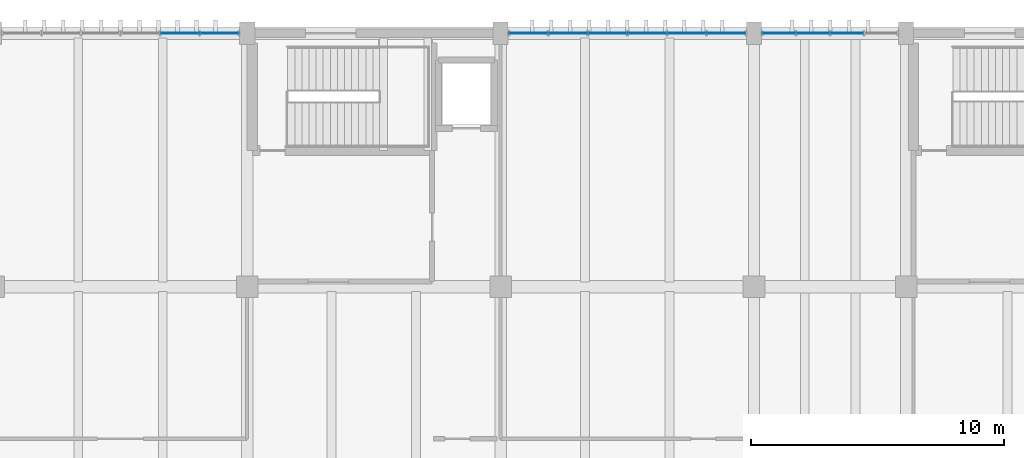
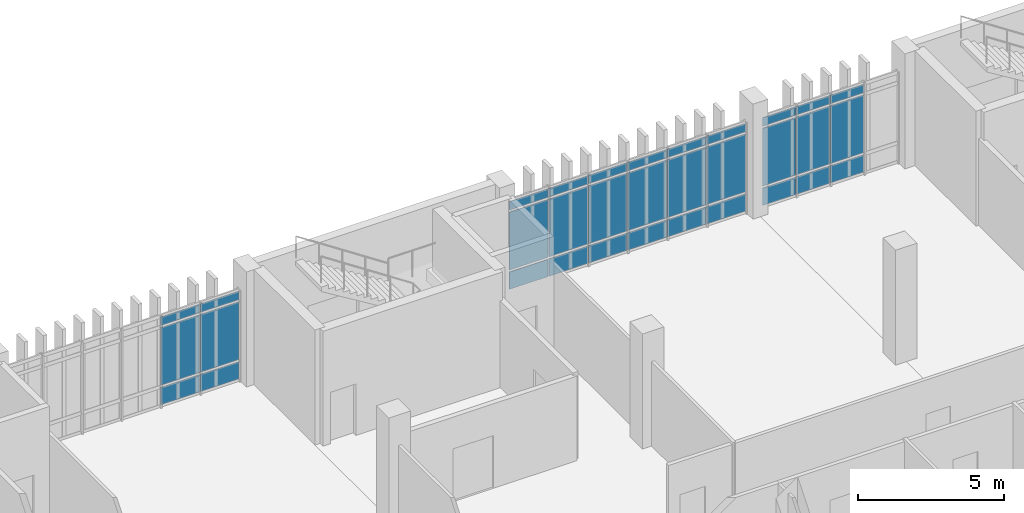
# One storey, part 66 of 87: 33 plates, 3 elements without a shape of their own.
"""IFC4 building model written with IfcOpenShell, lengths in metres."""

from ifc_helpers import new_model, si_unit, direction, frame, origin, origin_2d, place, context, subcontext, project, spatial, rectangle, extrude, material, layer, layer_set, type_object, element, aggregate, save


model = new_model("IFC4")

# Units and contexts
model_context = context("Model", 3, precision=1e-05, world=origin(), true_north=direction((0.0, 1.0)))
body_context = subcontext(model_context, "Body", "Model", "MODEL_VIEW")
ifc_project = project(units=[si_unit("LENGTHUNIT", "METRE"), si_unit("AREAUNIT", "SQUARE_METRE"), si_unit("VOLUMEUNIT", "CUBIC_METRE"), si_unit("PLANEANGLEUNIT", "RADIAN"), si_unit("MASSUNIT", "GRAM", prefix="KILO")], contexts=[model_context])

# Site, building, storey
site_placement = place(None, origin())
site = spatial("IfcSite", under=ifc_project, at=site_placement, CompositionType="ELEMENT")
building_placement = place(site_placement, origin())
building = spatial("IfcBuilding", under=site, at=building_placement, Name="Mersad Railyard Sports Hall", CompositionType="ELEMENT")
storey_placement = place(building_placement, origin())
storey = spatial("IfcBuildingStorey", under=building, at=storey_placement, Name="L00", CompositionType="ELEMENT", Elevation=0.0)

# Curtain wall, plates
ifc_material_1 = material(Name="Aluminium 6063-T6", Category="aluminium")
ifc_layer_1 = layer(ifc_material_1, 0.199951171875)
ifc_layer_set_1 = layer_set([ifc_layer_1], Name="Aluminium 6063-T6")
curtain_wall_type_1 = type_object("IfcCurtainWallType", Name="ARC-CW-CW29", PredefinedType="USERDEFINED", material=ifc_layer_set_1)
curtain_wall_1_placement = place(storey_placement, origin())
curtain_wall_1 = element("IfcCurtainWall", 1, at=curtain_wall_1_placement, inside=storey, type_object=curtain_wall_type_1, Name="Curtain wall CW29-0085", ObjectType="CURTAIN WALL", PredefinedType="USERDEFINED")
ifc_material_2 = material(Name="Solar-control glass", Category="glass")
ifc_layer_2 = layer(ifc_material_2, 0.028076171875)
ifc_layer_set_2 = layer_set([ifc_layer_2], Name="Solar-control glass")
plate_type = type_object("IfcPlateType", Name="ARC-CW-PNL01", PredefinedType="CURTAIN_PANEL", material=ifc_layer_set_2)
plate_1_placement = place(storey_placement, frame((108.340087890625, 115.0, 0.0849609375), z_axis=(0.0, 0.0, 1.0), x_axis=(1.0, 0.0, 0.0)))
plate_1 = element("IfcPlate", 2, at=plate_1_placement, type_object=plate_type, Name="CW29 Glazed panel 5-1", PredefinedType="CURTAIN_PANEL", context=body_context, shape_type="SweptSolid", body=[
    extrude(rectangle(XDim=1.51611328125, YDim=0.028076171875, at=origin_2d()), origin(), (0.0, 0.0, 1.0), 0.719970703125),
])
plate_2_placement = place(storey_placement, frame((108.340087890625, 115.0, 0.89501953125), z_axis=(0.0, 0.0, 1.0), x_axis=(1.0, 0.0, 0.0)))
plate_2 = element("IfcPlate", 3, at=plate_2_placement, type_object=plate_type, Name="CW29 Glazed panel 5-2", PredefinedType="CURTAIN_PANEL", context=body_context, shape_type="SweptSolid", body=[
    extrude(rectangle(XDim=1.51611328125, YDim=0.028076171875, at=origin_2d()), origin(), (0.0, 0.0, 1.0), 2.409912109375),
])
plate_3_placement = place(storey_placement, frame((108.340087890625, 115.0, 3.39501953125), z_axis=(0.0, 0.0, 1.0), x_axis=(1.0, 0.0, 0.0)))
plate_3 = element("IfcPlate", 4, at=plate_3_placement, type_object=plate_type, Name="CW29 Glazed panel 5-3", PredefinedType="CURTAIN_PANEL", context=body_context, shape_type="SweptSolid", body=[
    extrude(rectangle(XDim=1.51611328125, YDim=0.028076171875, at=origin_2d()), origin(), (0.0, 0.0, 1.0), 0.35009765625),
])
plate_4_placement = place(storey_placement, frame((109.89990234375, 115.0, 0.0849609375), z_axis=(0.0, 0.0, 1.0), x_axis=(1.0, 0.0, 0.0)))
plate_4 = element("IfcPlate", 5, at=plate_4_placement, type_object=plate_type, Name="CW29 Glazed panel 6-1", PredefinedType="CURTAIN_PANEL", context=body_context, shape_type="SweptSolid", body=[
    extrude(rectangle(XDim=1.51611328125, YDim=0.028076171875, at=origin_2d()), origin(), (0.0, 0.0, 1.0), 0.719970703125),
])
plate_5_placement = place(storey_placement, frame((109.89990234375, 115.0, 0.89501953125), z_axis=(0.0, 0.0, 1.0), x_axis=(1.0, 0.0, 0.0)))
plate_5 = element("IfcPlate", 6, at=plate_5_placement, type_object=plate_type, Name="CW29 Glazed panel 6-2", PredefinedType="CURTAIN_PANEL", context=body_context, shape_type="SweptSolid", body=[
    extrude(rectangle(XDim=1.51611328125, YDim=0.028076171875, at=origin_2d()), origin(), (0.0, 0.0, 1.0), 2.409912109375),
])
plate_6_placement = place(storey_placement, frame((109.89990234375, 115.0, 3.39501953125), z_axis=(0.0, 0.0, 1.0), x_axis=(1.0, 0.0, 0.0)))
plate_6 = element("IfcPlate", 7, at=plate_6_placement, type_object=plate_type, Name="CW29 Glazed panel 6-3", PredefinedType="CURTAIN_PANEL", context=body_context, shape_type="SweptSolid", body=[
    extrude(rectangle(XDim=1.51611328125, YDim=0.028076171875, at=origin_2d()), origin(), (0.0, 0.0, 1.0), 0.35009765625),
])
aggregate(curtain_wall_1, [plate_1, plate_2, plate_3, plate_4, plate_5, plate_6])

curtain_wall_2_placement = place(storey_placement, origin())
curtain_wall_2 = element("IfcCurtainWall", 8, at=curtain_wall_2_placement, inside=storey, type_object=curtain_wall_type_1, Name="Curtain wall CW29-0086", ObjectType="CURTAIN WALL", PredefinedType="USERDEFINED")
plate_7_placement = place(storey_placement, frame((122.10009765625, 115.0, 0.0849609375), z_axis=(0.0, 0.0, 1.0), x_axis=(1.0, 0.0, 0.0)))
plate_7 = element("IfcPlate", 9, at=plate_7_placement, type_object=plate_type, Name="CW29 Glazed panel 1-1", PredefinedType="CURTAIN_PANEL", context=body_context, shape_type="SweptSolid", body=[
    extrude(rectangle(XDim=1.51611328125, YDim=0.028076171875, at=origin_2d()), origin(), (0.0, 0.0, 1.0), 0.719970703125),
])
plate_8_placement = place(storey_placement, frame((122.10009765625, 115.0, 0.89501953125), z_axis=(0.0, 0.0, 1.0), x_axis=(1.0, 0.0, 0.0)))
plate_8 = element("IfcPlate", 10, at=plate_8_placement, type_object=plate_type, Name="CW29 Glazed panel 1-2", PredefinedType="CURTAIN_PANEL", context=body_context, shape_type="SweptSolid", body=[
    extrude(rectangle(XDim=1.51611328125, YDim=0.028076171875, at=origin_2d()), origin(), (0.0, 0.0, 1.0), 2.409912109375),
])
plate_9_placement = place(storey_placement, frame((122.10009765625, 115.0, 3.39501953125), z_axis=(0.0, 0.0, 1.0), x_axis=(1.0, 0.0, 0.0)))
plate_9 = element("IfcPlate", 11, at=plate_9_placement, type_object=plate_type, Name="CW29 Glazed panel 1-3", PredefinedType="CURTAIN_PANEL", context=body_context, shape_type="SweptSolid", body=[
    extrude(rectangle(XDim=1.51611328125, YDim=0.028076171875, at=origin_2d()), origin(), (0.0, 0.0, 1.0), 0.35009765625),
])
plate_10_placement = place(storey_placement, frame((123.659912109375, 115.0, 0.0849609375), z_axis=(0.0, 0.0, 1.0), x_axis=(1.0, 0.0, 0.0)))
plate_10 = element("IfcPlate", 12, at=plate_10_placement, type_object=plate_type, Name="CW29 Glazed panel 2-1", PredefinedType="CURTAIN_PANEL", context=body_context, shape_type="SweptSolid", body=[
    extrude(rectangle(XDim=1.51611328125, YDim=0.028076171875, at=origin_2d()), origin(), (0.0, 0.0, 1.0), 0.719970703125),
])
plate_11_placement = place(storey_placement, frame((123.659912109375, 115.0, 0.89501953125), z_axis=(0.0, 0.0, 1.0), x_axis=(1.0, 0.0, 0.0)))
plate_11 = element("IfcPlate", 13, at=plate_11_placement, type_object=plate_type, Name="CW29 Glazed panel 2-2", PredefinedType="CURTAIN_PANEL", context=body_context, shape_type="SweptSolid", body=[
    extrude(rectangle(XDim=1.51611328125, YDim=0.028076171875, at=origin_2d()), origin(), (0.0, 0.0, 1.0), 2.409912109375),
])
plate_12_placement = place(storey_placement, frame((123.659912109375, 115.0, 3.39501953125), z_axis=(0.0, 0.0, 1.0), x_axis=(1.0, 0.0, 0.0)))
plate_12 = element("IfcPlate", 14, at=plate_12_placement, type_object=plate_type, Name="CW29 Glazed panel 2-3", PredefinedType="CURTAIN_PANEL", context=body_context, shape_type="SweptSolid", body=[
    extrude(rectangle(XDim=1.51611328125, YDim=0.028076171875, at=origin_2d()), origin(), (0.0, 0.0, 1.0), 0.35009765625),
])
plate_13_placement = place(storey_placement, frame((125.219970703125, 115.0, 0.0849609375), z_axis=(0.0, 0.0, 1.0), x_axis=(1.0, 0.0, 0.0)))
plate_13 = element("IfcPlate", 15, at=plate_13_placement, type_object=plate_type, Name="CW29 Glazed panel 3-1", PredefinedType="CURTAIN_PANEL", context=body_context, shape_type="SweptSolid", body=[
    extrude(rectangle(XDim=1.51611328125, YDim=0.028076171875, at=origin_2d()), origin(), (0.0, 0.0, 1.0), 0.719970703125),
])
plate_14_placement = place(storey_placement, frame((125.219970703125, 115.0, 0.89501953125), z_axis=(0.0, 0.0, 1.0), x_axis=(1.0, 0.0, 0.0)))
plate_14 = element("IfcPlate", 16, at=plate_14_placement, type_object=plate_type, Name="CW29 Glazed panel 3-2", PredefinedType="CURTAIN_PANEL", context=body_context, shape_type="SweptSolid", body=[
    extrude(rectangle(XDim=1.51611328125, YDim=0.028076171875, at=origin_2d()), origin(), (0.0, 0.0, 1.0), 2.409912109375),
])
plate_15_placement = place(storey_placement, frame((125.219970703125, 115.0, 3.39501953125), z_axis=(0.0, 0.0, 1.0), x_axis=(1.0, 0.0, 0.0)))
plate_15 = element("IfcPlate", 17, at=plate_15_placement, type_object=plate_type, Name="CW29 Glazed panel 3-3", PredefinedType="CURTAIN_PANEL", context=body_context, shape_type="SweptSolid", body=[
    extrude(rectangle(XDim=1.51611328125, YDim=0.028076171875, at=origin_2d()), origin(), (0.0, 0.0, 1.0), 0.35009765625),
])
plate_16_placement = place(storey_placement, frame((126.780029296875, 115.0, 0.0849609375), z_axis=(0.0, 0.0, 1.0), x_axis=(1.0, 0.0, 0.0)))
plate_16 = element("IfcPlate", 18, at=plate_16_placement, type_object=plate_type, Name="CW29 Glazed panel 4-1", PredefinedType="CURTAIN_PANEL", context=body_context, shape_type="SweptSolid", body=[
    extrude(rectangle(XDim=1.51611328125, YDim=0.028076171875, at=origin_2d()), origin(), (0.0, 0.0, 1.0), 0.719970703125),
])
plate_17_placement = place(storey_placement, frame((126.780029296875, 115.0, 0.89501953125), z_axis=(0.0, 0.0, 1.0), x_axis=(1.0, 0.0, 0.0)))
plate_17 = element("IfcPlate", 19, at=plate_17_placement, type_object=plate_type, Name="CW29 Glazed panel 4-2", PredefinedType="CURTAIN_PANEL", context=body_context, shape_type="SweptSolid", body=[
    extrude(rectangle(XDim=1.51611328125, YDim=0.028076171875, at=origin_2d()), origin(), (0.0, 0.0, 1.0), 2.409912109375),
])
plate_18_placement = place(storey_placement, frame((126.780029296875, 115.0, 3.39501953125), z_axis=(0.0, 0.0, 1.0), x_axis=(1.0, 0.0, 0.0)))
plate_18 = element("IfcPlate", 20, at=plate_18_placement, type_object=plate_type, Name="CW29 Glazed panel 4-3", PredefinedType="CURTAIN_PANEL", context=body_context, shape_type="SweptSolid", body=[
    extrude(rectangle(XDim=1.51611328125, YDim=0.028076171875, at=origin_2d()), origin(), (0.0, 0.0, 1.0), 0.35009765625),
])
plate_19_placement = place(storey_placement, frame((128.340087890625, 115.0, 0.0849609375), z_axis=(0.0, 0.0, 1.0), x_axis=(1.0, 0.0, 0.0)))
plate_19 = element("IfcPlate", 21, at=plate_19_placement, type_object=plate_type, Name="CW29 Glazed panel 5-1", PredefinedType="CURTAIN_PANEL", context=body_context, shape_type="SweptSolid", body=[
    extrude(rectangle(XDim=1.51611328125, YDim=0.028076171875, at=origin_2d()), origin(), (0.0, 0.0, 1.0), 0.719970703125),
])
plate_20_placement = place(storey_placement, frame((128.340087890625, 115.0, 0.89501953125), z_axis=(0.0, 0.0, 1.0), x_axis=(1.0, 0.0, 0.0)))
plate_20 = element("IfcPlate", 22, at=plate_20_placement, type_object=plate_type, Name="CW29 Glazed panel 5-2", PredefinedType="CURTAIN_PANEL", context=body_context, shape_type="SweptSolid", body=[
    extrude(rectangle(XDim=1.51611328125, YDim=0.028076171875, at=origin_2d()), origin(), (0.0, 0.0, 1.0), 2.409912109375),
])
plate_21_placement = place(storey_placement, frame((128.340087890625, 115.0, 3.39501953125), z_axis=(0.0, 0.0, 1.0), x_axis=(1.0, 0.0, 0.0)))
plate_21 = element("IfcPlate", 23, at=plate_21_placement, type_object=plate_type, Name="CW29 Glazed panel 5-3", PredefinedType="CURTAIN_PANEL", context=body_context, shape_type="SweptSolid", body=[
    extrude(rectangle(XDim=1.51611328125, YDim=0.028076171875, at=origin_2d()), origin(), (0.0, 0.0, 1.0), 0.35009765625),
])
plate_22_placement = place(storey_placement, frame((129.89990234375, 115.0, 0.0849609375), z_axis=(0.0, 0.0, 1.0), x_axis=(1.0, 0.0, 0.0)))
plate_22 = element("IfcPlate", 24, at=plate_22_placement, type_object=plate_type, Name="CW29 Glazed panel 6-1", PredefinedType="CURTAIN_PANEL", context=body_context, shape_type="SweptSolid", body=[
    extrude(rectangle(XDim=1.51611328125, YDim=0.028076171875, at=origin_2d()), origin(), (0.0, 0.0, 1.0), 0.719970703125),
])
plate_23_placement = place(storey_placement, frame((129.89990234375, 115.0, 0.89501953125), z_axis=(0.0, 0.0, 1.0), x_axis=(1.0, 0.0, 0.0)))
plate_23 = element("IfcPlate", 25, at=plate_23_placement, type_object=plate_type, Name="CW29 Glazed panel 6-2", PredefinedType="CURTAIN_PANEL", context=body_context, shape_type="SweptSolid", body=[
    extrude(rectangle(XDim=1.51611328125, YDim=0.028076171875, at=origin_2d()), origin(), (0.0, 0.0, 1.0), 2.409912109375),
])
plate_24_placement = place(storey_placement, frame((129.89990234375, 115.0, 3.39501953125), z_axis=(0.0, 0.0, 1.0), x_axis=(1.0, 0.0, 0.0)))
plate_24 = element("IfcPlate", 26, at=plate_24_placement, type_object=plate_type, Name="CW29 Glazed panel 6-3", PredefinedType="CURTAIN_PANEL", context=body_context, shape_type="SweptSolid", body=[
    extrude(rectangle(XDim=1.51611328125, YDim=0.028076171875, at=origin_2d()), origin(), (0.0, 0.0, 1.0), 0.35009765625),
])
aggregate(curtain_wall_2, [plate_7, plate_8, plate_9, plate_10, plate_11, plate_12, plate_13, plate_14, plate_15, plate_16, plate_17, plate_18, plate_19, plate_20, plate_21, plate_22, plate_23, plate_24])

ifc_layer_3 = layer(ifc_material_1, 0.199951171875)
ifc_layer_set_3 = layer_set([ifc_layer_3], Name="Aluminium 6063-T6")
curtain_wall_type_2 = type_object("IfcCurtainWallType", Name="ARC-CW-CW30", PredefinedType="USERDEFINED", material=ifc_layer_set_3)
curtain_wall_3_placement = place(storey_placement, origin())
curtain_wall_3 = element("IfcCurtainWall", 27, at=curtain_wall_3_placement, inside=storey, type_object=curtain_wall_type_2, Name="Curtain wall CW30-0087", ObjectType="CURTAIN WALL", PredefinedType="USERDEFINED")
plate_25_placement = place(storey_placement, frame((131.989990234375, 115.0, 0.0849609375), z_axis=(0.0, 0.0, 1.0), x_axis=(1.0, 0.0, 0.0)))
plate_25 = element("IfcPlate", 28, at=plate_25_placement, type_object=plate_type, Name="CW30 Glazed panel 1-1", PredefinedType="CURTAIN_PANEL", context=body_context, shape_type="SweptSolid", body=[
    extrude(rectangle(XDim=1.2958984375, YDim=0.028076171875, at=origin_2d()), origin(), (0.0, 0.0, 1.0), 0.719970703125),
])
plate_26_placement = place(storey_placement, frame((131.989990234375, 115.0, 0.89501953125), z_axis=(0.0, 0.0, 1.0), x_axis=(1.0, 0.0, 0.0)))
plate_26 = element("IfcPlate", 29, at=plate_26_placement, type_object=plate_type, Name="CW30 Glazed panel 1-2", PredefinedType="CURTAIN_PANEL", context=body_context, shape_type="SweptSolid", body=[
    extrude(rectangle(XDim=1.2958984375, YDim=0.028076171875, at=origin_2d()), origin(), (0.0, 0.0, 1.0), 2.409912109375),
])
plate_27_placement = place(storey_placement, frame((131.989990234375, 115.0, 3.39501953125), z_axis=(0.0, 0.0, 1.0), x_axis=(1.0, 0.0, 0.0)))
plate_27 = element("IfcPlate", 30, at=plate_27_placement, type_object=plate_type, Name="CW30 Glazed panel 1-3", PredefinedType="CURTAIN_PANEL", context=body_context, shape_type="SweptSolid", body=[
    extrude(rectangle(XDim=1.2958984375, YDim=0.028076171875, at=origin_2d()), origin(), (0.0, 0.0, 1.0), 0.35009765625),
])
plate_28_placement = place(storey_placement, frame((133.330078125, 115.0, 0.0849609375), z_axis=(0.0, 0.0, 1.0), x_axis=(1.0, 0.0, 0.0)))
plate_28 = element("IfcPlate", 31, at=plate_28_placement, type_object=plate_type, Name="CW30 Glazed panel 2-1", PredefinedType="CURTAIN_PANEL", context=body_context, shape_type="SweptSolid", body=[
    extrude(rectangle(XDim=1.2958984375, YDim=0.028076171875, at=origin_2d()), origin(), (0.0, 0.0, 1.0), 0.719970703125),
])
plate_29_placement = place(storey_placement, frame((133.330078125, 115.0, 0.89501953125), z_axis=(0.0, 0.0, 1.0), x_axis=(1.0, 0.0, 0.0)))
plate_29 = element("IfcPlate", 32, at=plate_29_placement, type_object=plate_type, Name="CW30 Glazed panel 2-2", PredefinedType="CURTAIN_PANEL", context=body_context, shape_type="SweptSolid", body=[
    extrude(rectangle(XDim=1.2958984375, YDim=0.028076171875, at=origin_2d()), origin(), (0.0, 0.0, 1.0), 2.409912109375),
])
plate_30_placement = place(storey_placement, frame((133.330078125, 115.0, 3.39501953125), z_axis=(0.0, 0.0, 1.0), x_axis=(1.0, 0.0, 0.0)))
plate_30 = element("IfcPlate", 33, at=plate_30_placement, type_object=plate_type, Name="CW30 Glazed panel 2-3", PredefinedType="CURTAIN_PANEL", context=body_context, shape_type="SweptSolid", body=[
    extrude(rectangle(XDim=1.2958984375, YDim=0.028076171875, at=origin_2d()), origin(), (0.0, 0.0, 1.0), 0.35009765625),
])
plate_31_placement = place(storey_placement, frame((134.669921875, 115.0, 0.0849609375), z_axis=(0.0, 0.0, 1.0), x_axis=(1.0, 0.0, 0.0)))
plate_31 = element("IfcPlate", 34, at=plate_31_placement, type_object=plate_type, Name="CW30 Glazed panel 3-1", PredefinedType="CURTAIN_PANEL", context=body_context, shape_type="SweptSolid", body=[
    extrude(rectangle(XDim=1.2958984375, YDim=0.028076171875, at=origin_2d()), origin(), (0.0, 0.0, 1.0), 0.719970703125),
])
plate_32_placement = place(storey_placement, frame((134.669921875, 115.0, 0.89501953125), z_axis=(0.0, 0.0, 1.0), x_axis=(1.0, 0.0, 0.0)))
plate_32 = element("IfcPlate", 35, at=plate_32_placement, type_object=plate_type, Name="CW30 Glazed panel 3-2", PredefinedType="CURTAIN_PANEL", context=body_context, shape_type="SweptSolid", body=[
    extrude(rectangle(XDim=1.2958984375, YDim=0.028076171875, at=origin_2d()), origin(), (0.0, 0.0, 1.0), 2.409912109375),
])
plate_33_placement = place(storey_placement, frame((134.669921875, 115.0, 3.39501953125), z_axis=(0.0, 0.0, 1.0), x_axis=(1.0, 0.0, 0.0)))
plate_33 = element("IfcPlate", 36, at=plate_33_placement, type_object=plate_type, Name="CW30 Glazed panel 3-3", PredefinedType="CURTAIN_PANEL", context=body_context, shape_type="SweptSolid", body=[
    extrude(rectangle(XDim=1.2958984375, YDim=0.028076171875, at=origin_2d()), origin(), (0.0, 0.0, 1.0), 0.35009765625),
])
aggregate(curtain_wall_3, [plate_25, plate_26, plate_27, plate_28, plate_29, plate_30, plate_31, plate_32, plate_33])

save(model, "model.ifc")
